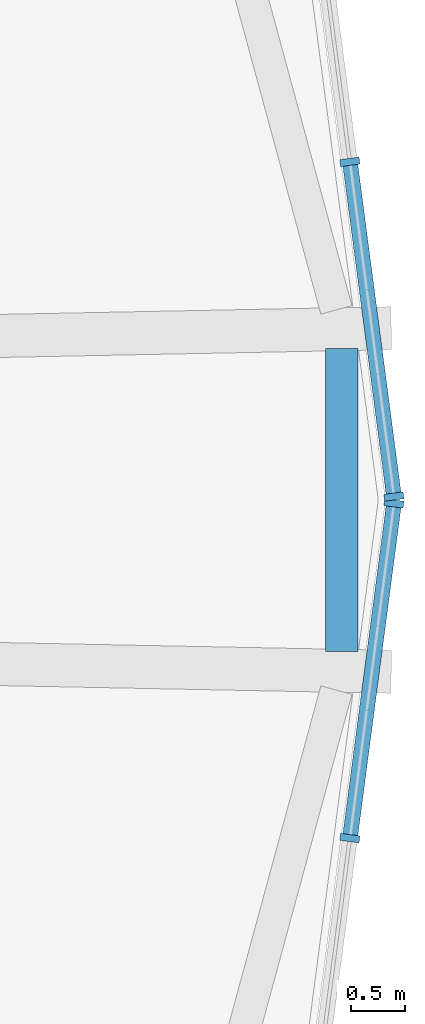
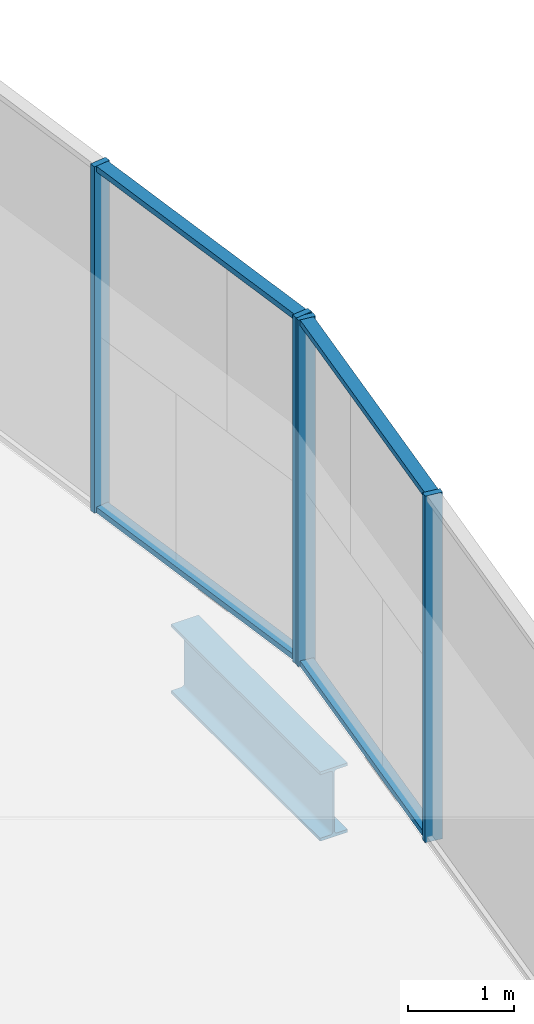
# One storey, part 5 of 13: 8 members, 1 beam, 2 elements without a shape of their own.
"""IFC4 building model written with IfcOpenShell, lengths in metres."""

from ifc_helpers import new_model, si_unit, direction, frame, origin, origin_2d, place, context, subcontext, project, spatial, rectangle, i_section, extrude, material, material_profile, profile_set, type_object, element, aggregate, save


model = new_model("IFC4")

# Units and contexts
model_context = context("Model", 3, precision=1e-05, world=origin(), true_north=direction((0.0, 1.0)))
body_context = subcontext(model_context, "Body", "Model", "MODEL_VIEW")
ifc_project = project(units=[si_unit("LENGTHUNIT", "METRE"), si_unit("AREAUNIT", "SQUARE_METRE"), si_unit("VOLUMEUNIT", "CUBIC_METRE"), si_unit("PLANEANGLEUNIT", "RADIAN"), si_unit("MASSUNIT", "GRAM", prefix="KILO")], contexts=[model_context])

# Site, building, storey
site_placement = place(None, origin())
site = spatial("IfcSite", under=ifc_project, at=site_placement, CompositionType="ELEMENT")
building_placement = place(site_placement, origin())
building = spatial("IfcBuilding", under=site, at=building_placement, Name="Golbaran Civic Tower", CompositionType="ELEMENT")
storey_placement = place(building_placement, frame((0.0, 0.0, 81.0)))
storey = spatial("IfcBuildingStorey", under=building, at=storey_placement, Name="L19", CompositionType="ELEMENT", Elevation=81.0)

# Beam
ifc_material_1 = material(Name="Steel S355", Category="steel")
ifc_material_profile_1 = material_profile(ifc_material_1, i_section(OverallWidth=0.300048828125, OverallDepth=0.800048828125, WebThickness=0.017578125, FlangeThickness=0.032958984375, FilletRadius=0.030029296875, at=origin_2d()), Name="HEB 800")
ifc_profile_set_1 = profile_set([ifc_material_profile_1], Name="Steel S355")
beam_type = type_object("IfcBeamType", Name="EDGE BEAM HEB 800", PredefinedType="BEAM", material=ifc_profile_set_1)
beam_placement = place(storey_placement, frame((23.79931640625, -1.408203125, -0.60009765625), z_axis=(0.0, 1.0, 0.0), x_axis=(-1.0, 0.0, 0.0)))
element("IfcBeam", 1, at=beam_placement, inside=storey, type_object=beam_type, Name="Edge beam 356.30 L19", PredefinedType="BEAM", context=body_context, shape_type="SweptSolid", body=[
    extrude(i_section(OverallWidth=0.300048828125, OverallDepth=0.800048828125, WebThickness=0.017578125, FlangeThickness=0.032958984375, FilletRadius=0.030029296875, at=origin_2d()), origin(), (0.0, 0.0, 1.0), 2.81640625),
])

# Curtain wall, members
ifc_material_2 = material(Name="Aluminium and glass", Category="aluminium")
curtain_wall_type = type_object("IfcCurtainWallType", Name="INNER SKIN CURTAIN WALL", PredefinedType="NOTDEFINED", material=ifc_material_2)
curtain_wall_1_placement = place(storey_placement, origin())
curtain_wall_1 = element("IfcCurtainWall", 2, at=curtain_wall_1_placement, inside=storey, type_object=curtain_wall_type, Name="Inner skin L19 facet 1 CW1", ObjectType="INNER SKIN", PredefinedType="USERDEFINED")
ifc_material_3 = material(Name="Aluminium", Category="aluminium")
ifc_material_profile_2 = material_profile(ifc_material_3, rectangle(XDim=0.179931640625, YDim=0.06494140625, at=origin_2d()), Name="INNER SKIN CURTAIN WALL MULLION")
ifc_profile_set_2 = profile_set([ifc_material_profile_2], Name="Aluminium")
member_type_1 = type_object("IfcMemberType", Name="INNER SKIN CURTAIN WALL MULLION", PredefinedType="MULLION", material=ifc_profile_set_2)
member_1_placement = place(storey_placement, frame((24.28564453125, 0.0322265625, 0.0), z_axis=(0.0, 0.0, 1.0), x_axis=(-0.991444861383, -0.130526192151, 0.0)))
member_1 = element("IfcMember", 3, at=member_1_placement, type_object=member_type_1, Name="CW1 mullion 1", PredefinedType="MULLION", context=body_context, shape_type="SweptSolid", body=[
    extrude(rectangle(XDim=0.179931640625, YDim=0.06494140625, at=origin_2d()), origin(), (0.0, 0.0, 1.0), 4.0),
])
member_2_placement = place(storey_placement, frame((23.876220703125, 3.143310546875, 0.0), z_axis=(0.0, 0.0, 1.0), x_axis=(-0.991444861383, -0.130526192151, 0.0)))
member_2 = element("IfcMember", 4, at=member_2_placement, type_object=member_type_1, Name="CW1 mullion 2", PredefinedType="MULLION", context=body_context, shape_type="SweptSolid", body=[
    extrude(rectangle(XDim=0.179931640625, YDim=0.06494140625, at=origin_2d()), origin(), (0.0, 0.0, 1.0), 4.0),
])

curtain_wall_2_placement = place(storey_placement, origin())
curtain_wall_2 = element("IfcCurtainWall", 5, at=curtain_wall_2_placement, inside=storey, type_object=curtain_wall_type, Name="Inner skin L19 facet 24 CW1", ObjectType="INNER SKIN", PredefinedType="USERDEFINED")
member_3_placement = place(storey_placement, frame((23.876220703125, -3.143310546875, 0.0), z_axis=(0.0, 0.0, 1.0), x_axis=(-0.991444861383, 0.130526192151, 0.0)))
member_3 = element("IfcMember", 6, at=member_3_placement, type_object=member_type_1, Name="CW1 mullion 2", PredefinedType="MULLION", context=body_context, shape_type="SweptSolid", body=[
    extrude(rectangle(XDim=0.179931640625, YDim=0.06494140625, at=origin_2d()), origin(), (0.0, 0.0, 1.0), 4.0),
])
member_4_placement = place(storey_placement, frame((24.28564453125, -0.0322265625, 0.0), z_axis=(0.0, 0.0, 1.0), x_axis=(-0.991444861383, 0.130526192151, 0.0)))
member_4 = element("IfcMember", 7, at=member_4_placement, type_object=member_type_1, Name="CW1 mullion 3", PredefinedType="MULLION", context=body_context, shape_type="SweptSolid", body=[
    extrude(rectangle(XDim=0.179931640625, YDim=0.06494140625, at=origin_2d()), origin(), (0.0, 0.0, 1.0), 4.0),
])

# Member
ifc_material_profile_3 = material_profile(ifc_material_3, rectangle(XDim=0.139892578125, YDim=0.06494140625, at=origin_2d()), Name="INNER SKIN CURTAIN WALL TRANSOM")
ifc_profile_set_3 = profile_set([ifc_material_profile_3], Name="Aluminium")
member_type_2 = type_object("IfcMemberType", Name="INNER SKIN CURTAIN WALL TRANSOM", PredefinedType="USERDEFINED", material=ifc_profile_set_3)
member_5_placement = place(storey_placement, frame((24.281494140625, 0.064453125, 0.032470703125), z_axis=(-0.130534664207, 0.991443745979, 0.0), x_axis=(-0.991443745979, -0.130534664207, 0.0)))
member_5 = element("IfcMember", 8, at=member_5_placement, type_object=member_type_2, Name="CW1 transom 1.1", ObjectType="TRANSOM", PredefinedType="USERDEFINED", context=body_context, shape_type="SweptSolid", body=[
    extrude(rectangle(XDim=0.139892578125, YDim=0.06494140625, at=origin_2d()), origin(), (0.0, 0.0, 1.0), 3.072998046875),
])

member_6_placement = place(storey_placement, frame((24.281494140625, 0.064453125, 3.967529296875), z_axis=(-0.130534664207, 0.991443745979, 0.0), x_axis=(-0.991443745979, -0.130534664207, 0.0)))
member_6 = element("IfcMember", 9, at=member_6_placement, type_object=member_type_2, Name="CW1 transom 1.2", ObjectType="TRANSOM", PredefinedType="USERDEFINED", context=body_context, shape_type="SweptSolid", body=[
    extrude(rectangle(XDim=0.139892578125, YDim=0.06494140625, at=origin_2d()), origin(), (0.0, 0.0, 1.0), 3.072998046875),
])

aggregate(curtain_wall_1, [member_1, member_2, member_5, member_6])

member_7_placement = place(storey_placement, frame((23.88037109375, -3.111083984375, 0.032470703125), z_axis=(0.130534664207, 0.991443745979, 0.0), x_axis=(-0.991443745979, 0.130534664207, 0.0)))
member_7 = element("IfcMember", 10, at=member_7_placement, type_object=member_type_2, Name="CW1 transom 2.1", ObjectType="TRANSOM", PredefinedType="USERDEFINED", context=body_context, shape_type="SweptSolid", body=[
    extrude(rectangle(XDim=0.139892578125, YDim=0.06494140625, at=origin_2d()), origin(), (0.0, 0.0, 1.0), 3.072998046875),
])

member_8_placement = place(storey_placement, frame((23.88037109375, -3.111083984375, 3.967529296875), z_axis=(0.130534664207, 0.991443745979, 0.0), x_axis=(-0.991443745979, 0.130534664207, 0.0)))
member_8 = element("IfcMember", 11, at=member_8_placement, type_object=member_type_2, Name="CW1 transom 2.2", ObjectType="TRANSOM", PredefinedType="USERDEFINED", context=body_context, shape_type="SweptSolid", body=[
    extrude(rectangle(XDim=0.139892578125, YDim=0.06494140625, at=origin_2d()), origin(), (0.0, 0.0, 1.0), 3.072998046875),
])

aggregate(curtain_wall_2, [member_3, member_4, member_7, member_8])

save(model, "model.ifc")
